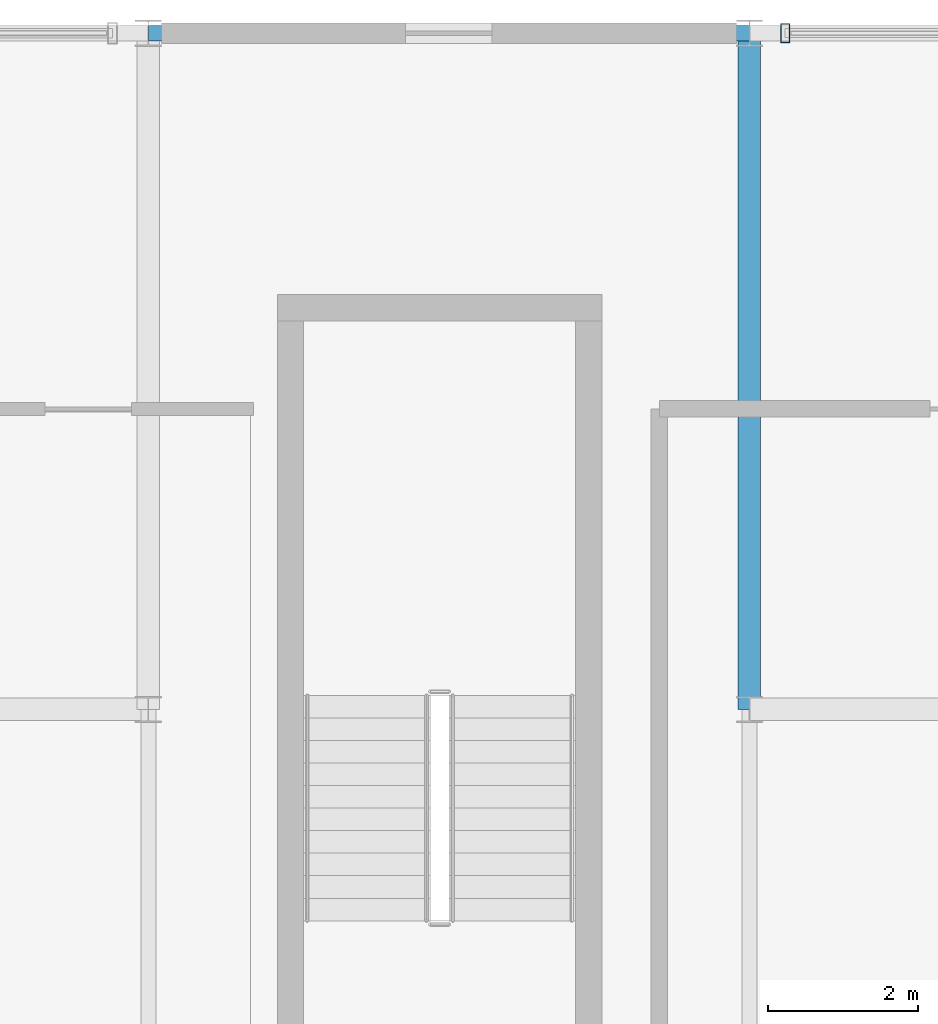
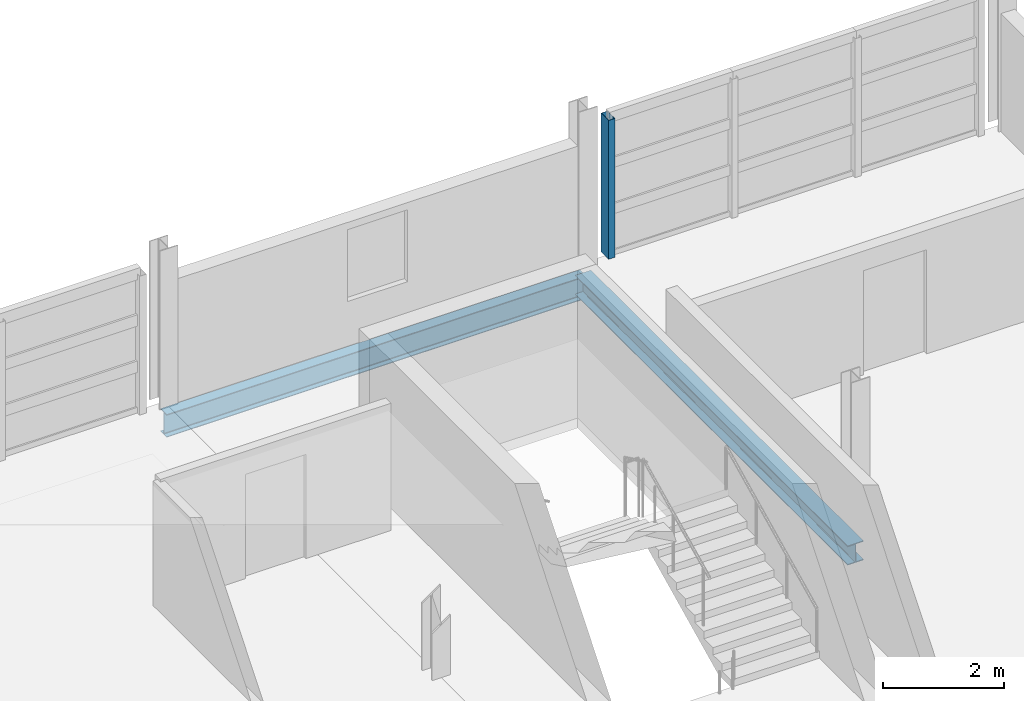
# One storey, part 15 of 30: 2 beams, 1 member, 1 element without a shape of its own.
"""IFC4 building model written with IfcOpenShell, lengths in metres."""

import ifcopenshell
import ifcopenshell.guid

model = None  # the IFC model being written
_history = None  # IfcOwnerHistory: only IFC2X3 demands one
_inside = {}  # id of a spatial element -> (the spatial element, [elements in it])
_under = {}  # id of a project, library or spatial element -> (it, [spatial elements below it])
_declared = {}  # id of a project -> (the project, [libraries it declares])
_typed = {}  # id of a type object -> (the type object, [elements of that type])
_made_of = {}  # id of a material, layer set ... -> (it, [elements and type objects made of it])


def new_model(schema):
    """Start an empty IFC model of exactly this schema.

    Asked for "IFC4X3", IfcOpenShell would pick the latest addendum, in which some entities
    have other attributes; the version numbers below select the first issue.
    IFC2X3 requires an IfcOwnerHistory on every rooted entity: one is made here for all.
    """
    global model, _history
    if schema == "IFC4X3":
        model = ifcopenshell.file(schema_version=(4, 3, 0, 0))
    else:
        model = ifcopenshell.file(schema=schema)
    _inside.clear()
    _under.clear()
    _declared.clear()
    _typed.clear()
    _made_of.clear()
    _history = None
    if model.schema == "IFC2X3":
        org = make("IfcOrganization", Name="unknown")
        user = make(
            "IfcPersonAndOrganization",
            ThePerson=make("IfcPerson", FamilyName="unknown"),
            TheOrganization=org,
        )
        app = make(
            "IfcApplication",
            ApplicationDeveloper=org,
            Version="unknown",
            ApplicationFullName="unknown",
            ApplicationIdentifier="unknown",
        )
        _history = make(
            "IfcOwnerHistory",
            OwningUser=user,
            OwningApplication=app,
            ChangeAction="ADDED",
            CreationDate=0,
        )
    return model


def make(cls, **values):
    """One entity of the class cls with the attributes given. An attribute that is None is left unset."""
    return model.create_entity(
        cls, **{name: value for name, value in values.items() if value is not None}
    )


def rooted(cls, **values):
    """An entity with a GlobalId (a new one), such as an element, a storey or a relation."""
    return make(cls, GlobalId=ifcopenshell.guid.new(), OwnerHistory=_history, **values)


def si_unit(unit_type, name, prefix=None):
    """IfcSIUnit, for example si_unit("LENGTHUNIT", "METRE", prefix="MILLI")."""
    return make("IfcSIUnit", UnitType=unit_type, Prefix=prefix, Name=name)


def assignment(units):
    """IfcUnitAssignment: the units of a project."""
    return None if units is None else make("IfcUnitAssignment", Units=units)


def point(xyz):
    """IfcCartesianPoint."""
    return None if xyz is None else make("IfcCartesianPoint", Coordinates=xyz)


def direction(xyz):
    """IfcDirection."""
    return None if xyz is None else make("IfcDirection", DirectionRatios=xyz)


def frame(location, z_axis=None, x_axis=None):
    """IfcAxis2Placement3D, a coordinate frame: its origin and axes. An axis left out is left unset."""
    return make(
        "IfcAxis2Placement3D",
        Location=point(location),
        Axis=direction(z_axis),
        RefDirection=direction(x_axis),
    )


def frame_2d(location, x_axis=None):
    """IfcAxis2Placement2D, a coordinate frame in the plane: its origin and x axis."""
    return make(
        "IfcAxis2Placement2D", Location=point(location), RefDirection=direction(x_axis)
    )


def origin():
    """The frame at (0, 0, 0) with its axes left unset."""
    return frame((0.0, 0.0, 0.0))


def origin_2d():
    """The frame at (0, 0) in the plane with its x axis left unset."""
    return frame_2d((0.0, 0.0))


def place(relative_to, where):
    """IfcLocalPlacement: puts the frame where relative to a parent placement (None: the world)."""
    return make(
        "IfcLocalPlacement", PlacementRelTo=relative_to, RelativePlacement=where
    )


def context(
    kind, dimensions, precision=None, world=None, true_north=None, identifier=None
):
    """IfcGeometricRepresentationContext, for example the 3D "Model" context."""
    return make(
        "IfcGeometricRepresentationContext",
        ContextIdentifier=identifier,
        ContextType=kind,
        CoordinateSpaceDimension=dimensions,
        Precision=precision,
        WorldCoordinateSystem=world,
        TrueNorth=true_north,
    )


def subcontext(parent, identifier, kind, view, scale=None):
    """IfcGeometricRepresentationSubContext, for example "Body" below "Model"."""
    return make(
        "IfcGeometricRepresentationSubContext",
        ContextIdentifier=identifier,
        ContextType=kind,
        ParentContext=parent,
        TargetScale=scale,
        TargetView=view,
    )


def project(units=None, contexts=None):
    """IfcProject with its units and contexts."""
    return rooted(
        "IfcProject",
        Name="project",
        RepresentationContexts=contexts,
        UnitsInContext=assignment(units),
    )


def spatial(cls, under=None, at=None, **own):
    """A site, building, storey or space (cls), placed at a placement, below another one or the project."""
    s = rooted(cls, ObjectPlacement=at, **own)
    if under is not None:
        _under.setdefault(under.id(), (under, []))[1].append(s)
    return s


def profile(cls, at=None, kind="AREA", **sizes):
    """A parametric profile (cls). Its sizes go by their IFC names, for example OverallWidth=200.0."""
    return make(cls, ProfileType=kind, Position=at, **sizes)


def hollow_rectangle(**sizes):
    """IfcRectangleHollowProfileDef."""
    return profile("IfcRectangleHollowProfileDef", **sizes)


def i_section(**sizes):
    """IfcIShapeProfileDef."""
    return profile("IfcIShapeProfileDef", **sizes)


def extrude(swept, where, along, depth):
    """IfcExtrudedAreaSolid: the profile swept, set in the frame where, extruded along a direction by depth."""
    return make(
        "IfcExtrudedAreaSolid",
        SweptArea=swept,
        Position=where,
        ExtrudedDirection=direction(along),
        Depth=depth,
    )


def shape(context_of_items, identifier, shape_type, items):
    """IfcShapeRepresentation: the items that make up one representation, for example the "Body"."""
    return make(
        "IfcShapeRepresentation",
        ContextOfItems=context_of_items,
        RepresentationIdentifier=identifier,
        RepresentationType=shape_type,
        Items=items,
    )


def material(Name=None, Category=None):
    """IfcMaterial."""
    return make("IfcMaterial", Name=Name, Category=Category)


def material_profile(
    of_material, cross_section, Name=None, Category=None, Priority=None
):
    """IfcMaterialProfile: a cross section and its material."""
    return make(
        "IfcMaterialProfile",
        Name=Name,
        Material=of_material,
        Profile=cross_section,
        Priority=Priority,
        Category=Category,
    )


def profile_set(profiles, Name=None, composite=None):
    """IfcMaterialProfileSet."""
    return make(
        "IfcMaterialProfileSet",
        Name=Name,
        MaterialProfiles=profiles,
        CompositeProfile=composite,
    )


def made_of(thing, what):
    """Note that an element or type object is made of a material, layer set ...; save() writes the relation."""
    if what is not None:
        _made_of.setdefault(what.id(), (what, []))[1].append(thing)
    return thing


def type_object(cls, material=None, **own):
    """A type object (cls), such as IfcWallType, which elements share."""
    return made_of(rooted(cls, **own), material)


def element(
    cls,
    number,
    at=None,
    inside=None,
    cuts=None,
    type_object=None,
    material=None,
    context=None,
    identifier="Body",
    shape_type=None,
    held_by="IfcProductDefinitionShape",
    body=None,
    shapes=None,
    **own,
):
    """One element of the class cls, such as IfcWall. Its Tag is "e" and its number.

    at: its placement. inside: the storey or other place that contains it. cuts: it is an
    opening in that element (IfcRelVoidsElement). A single representation is given by context,
    identifier, shape_type and body (its items); several are given by shapes. held_by: the class
    of the entity that holds the representations. save() writes the other relations.
    """
    e = rooted(cls, Tag="e%d" % number, ObjectPlacement=at, **own)
    if body is not None:
        shapes = [shape(context, identifier, shape_type, body)]
    if shapes is not None:
        e.Representation = make(held_by, Representations=shapes)
    if inside is not None:
        _inside.setdefault(inside.id(), (inside, []))[1].append(e)
    if cuts is not None:
        rooted(
            "IfcRelVoidsElement", RelatingBuildingElement=cuts, RelatedOpeningElement=e
        )
    if type_object is not None:
        _typed.setdefault(type_object.id(), (type_object, []))[1].append(e)
    return made_of(e, material)


def aggregate(whole, parts):
    """IfcRelAggregates: a whole, such as a stair, and the parts it consists of."""
    return rooted("IfcRelAggregates", RelatingObject=whole, RelatedObjects=parts)


def save(model, path):
    """Write the relations noted so far, then the file.

    IfcRelAggregates (storeys below a building ...), IfcRelContainedInSpatialStructure (elements
    in a storey), IfcRelDefinesByType, IfcRelAssociatesMaterial and IfcRelDeclares: one each for
    every whole, place, type object, material and project.
    """
    for whole, parts in _under.values():
        aggregate(whole, parts)
    for where, things in _inside.values():
        rooted(
            "IfcRelContainedInSpatialStructure",
            RelatedElements=things,
            RelatingStructure=where,
        )
    for kind, things in _typed.values():
        rooted("IfcRelDefinesByType", RelatedObjects=things, RelatingType=kind)
    for what, things in _made_of.values():
        rooted("IfcRelAssociatesMaterial", RelatedObjects=things, RelatingMaterial=what)
    for by, libraries in _declared.values():
        rooted("IfcRelDeclares", RelatingContext=by, RelatedDefinitions=libraries)
    model.write(path)


model = new_model("IFC4")

# Units and contexts
model_context = context("Model", 3, precision=1e-05, world=origin(), true_north=direction((0.0, 1.0)))
body_context = subcontext(model_context, "Body", "Model", "MODEL_VIEW")
ifc_project = project(units=[si_unit("LENGTHUNIT", "METRE"), si_unit("AREAUNIT", "SQUARE_METRE"), si_unit("VOLUMEUNIT", "CUBIC_METRE"), si_unit("PLANEANGLEUNIT", "RADIAN"), si_unit("MASSUNIT", "GRAM", prefix="KILO")], contexts=[model_context])

# Site, building, storey
site_placement = place(None, origin())
site = spatial("IfcSite", under=ifc_project, at=site_placement, CompositionType="ELEMENT")
building_placement = place(site_placement, origin())
building = spatial("IfcBuilding", under=site, at=building_placement, Name="Chuanluo Vaults Station", CompositionType="ELEMENT")
storey_placement = place(building_placement, frame((0.0, 0.0, 17.60009765625)))
storey = spatial("IfcBuildingStorey", under=building, at=storey_placement, Name="L04", CompositionType="ELEMENT", Elevation=17.60009765625)

# Beams
ifc_material_1 = material(Name="Steel Q355C", Category="steel")
ifc_material_profile_1 = material_profile(ifc_material_1, i_section(OverallWidth=0.300048828125, OverallDepth=0.389892578125, WebThickness=0.010009765625, FlangeThickness=0.01611328125, FilletRadius=0.02001953125, at=origin_2d()))
ifc_profile_set_1 = profile_set([ifc_material_profile_1], Name="Steel Q355C")
beam_type_1 = type_object("IfcBeamType", Name="BM-GRD-400", PredefinedType="BEAM", material=ifc_profile_set_1)
beam_1_placement = place(storey_placement, frame((180.0, 117.0, -0.39501953125), z_axis=(0.0, 1.0, 0.0), x_axis=(-1.0, 0.0, 0.0)))
element("IfcBeam", 1, at=beam_1_placement, inside=storey, type_object=beam_type_1, Name="Floor girder BM:GY:L04:0947", PredefinedType="BEAM", context=body_context, shape_type="SweptSolid", body=[
    extrude(i_section(OverallWidth=0.300048828125, OverallDepth=0.389892578125, WebThickness=0.010009765625, FlangeThickness=0.01611328125, FilletRadius=0.02001953125, at=origin_2d()), origin(), (0.0, 0.0, 1.0), 9.0),
])
ifc_material_2 = material(Name="Steel Q355C", Category="steel")
ifc_material_profile_2 = material_profile(ifc_material_2, i_section(OverallWidth=0.205078125, OverallDepth=0.4599609375, WebThickness=0.009033203125, FlangeThickness=0.013916015625, FilletRadius=0.01611328125, at=origin_2d()))
ifc_profile_set_2 = profile_set([ifc_material_profile_2], Name="Steel Q355C")
beam_type_2 = type_object("IfcBeamType", Name="BM-SPN-450", PredefinedType="SPANDREL", material=ifc_profile_set_2)
beam_2_placement = place(storey_placement, frame((172.0, 126.0, -0.43017578125), z_axis=(1.0, 0.0, 0.0), x_axis=(0.0, 1.0, 0.0)))
element("IfcBeam", 2, at=beam_2_placement, inside=storey, type_object=beam_type_2, Name="Floor girder BM:GX:L04:0896", PredefinedType="SPANDREL", context=body_context, shape_type="SweptSolid", body=[
    extrude(i_section(OverallWidth=0.205078125, OverallDepth=0.4599609375, WebThickness=0.009033203125, FlangeThickness=0.013916015625, FilletRadius=0.01611328125, at=origin_2d()), origin(), (0.0, 0.0, 1.0), 8.0),
])

# Curtain wall, member
ifc_material_3 = material(Name="Anodised aluminium 6063-T6", Category="aluminium")
curtain_wall_type = type_object("IfcCurtainWallType", Name="CW-SYS-19", PredefinedType="NOTDEFINED", material=ifc_material_3)
curtain_wall_placement = place(storey_placement, origin())
curtain_wall = element("IfcCurtainWall", 3, at=curtain_wall_placement, inside=storey, type_object=curtain_wall_type, Name="Operations L04 facade CW", PredefinedType="NOTDEFINED")
ifc_material_4 = material(Name="Anodised aluminium 6063-T6", Category="aluminium")
ifc_material_profile_3 = material_profile(ifc_material_4, hollow_rectangle(XDim=0.1201171875, YDim=0.25, WallThickness=0.006103515625, at=origin_2d()))
ifc_profile_set_3 = profile_set([ifc_material_profile_3], Name="Anodised aluminium 6063-T6")
member_type = type_object("IfcMemberType", Name="CWM-160", PredefinedType="MULLION", material=ifc_profile_set_3)
member_placement = place(storey_placement, frame((180.47509765625, 126.0, 0.0), z_axis=(0.0, 0.0, 1.0), x_axis=(1.0, 0.0, 0.0)))
member = element("IfcMember", 4, at=member_placement, type_object=member_type, Name="Operations L04 facade CW mullion 1", PredefinedType="MULLION", context=body_context, shape_type="SweptSolid", body=[
    extrude(hollow_rectangle(XDim=0.1201171875, YDim=0.25, WallThickness=0.006103515625, at=origin_2d()), origin(), (0.0, 0.0, 1.0), 2.7998046875),
])
aggregate(curtain_wall, [member])

save(model, "model.ifc")
